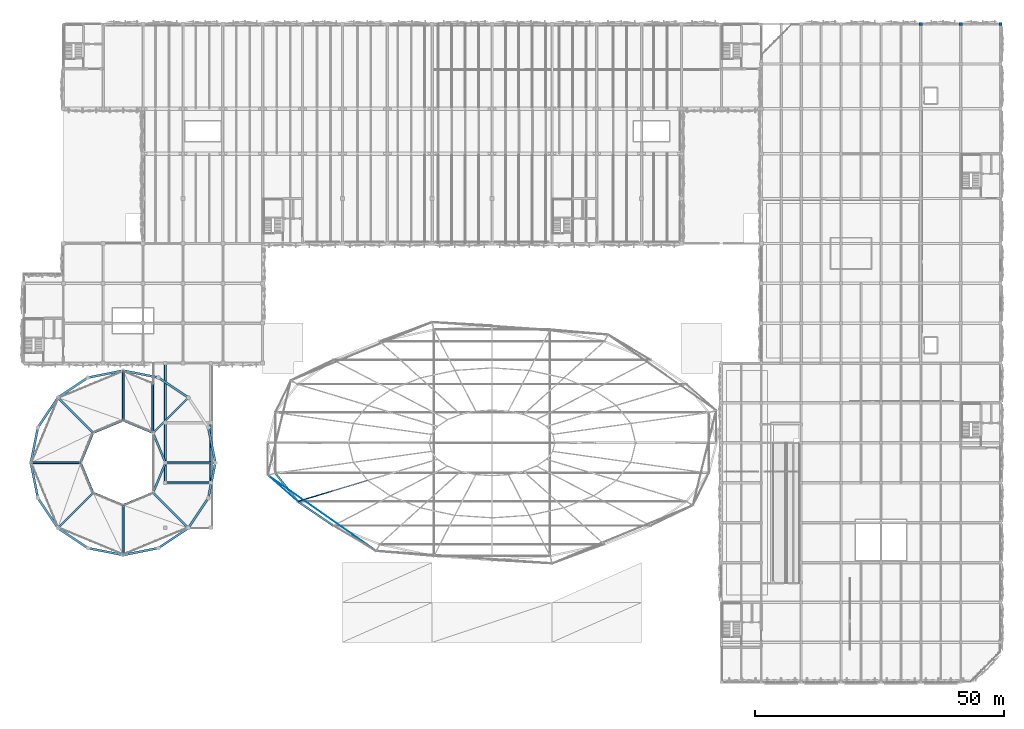
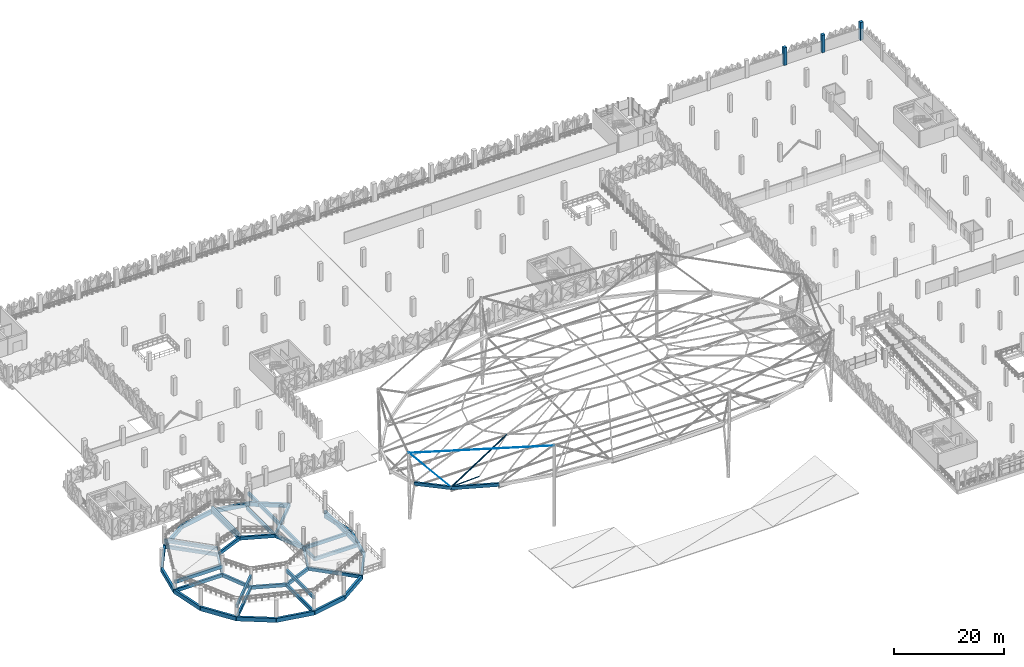
# One storey, part 10 of 96: 44 beams, 3 columns, 3 members.
"""IFC4 building model written with IfcOpenShell, lengths in metres."""

from ifc_helpers import new_model, si_unit, derived_unit, direction, frame, origin, origin_2d, place, context, subcontext, project, spatial, rectangle, hollow_rectangle, circle, i_section, extrude, material, material_profile, profile_set, type_object, element, save


model = new_model("IFC4")

# Units and contexts
model_context = context("Model", 3, precision=1e-05, world=origin(), true_north=direction((0.0, 1.0)))
body_context = subcontext(model_context, "Body", "Model", "MODEL_VIEW")
ifc_project = project(units=[si_unit("LENGTHUNIT", "METRE"), si_unit("AREAUNIT", "SQUARE_METRE"), si_unit("VOLUMEUNIT", "CUBIC_METRE"), si_unit("PLANEANGLEUNIT", "RADIAN"), si_unit("MASSUNIT", "GRAM", prefix="KILO"), si_unit("THERMODYNAMICTEMPERATUREUNIT", "KELVIN"), derived_unit("THERMALTRANSMITTANCEUNIT", [(si_unit("POWERUNIT", "WATT"), 1), (si_unit("AREAUNIT", "SQUARE_METRE"), -1), (si_unit("THERMODYNAMICTEMPERATUREUNIT", "KELVIN"), -1)])], contexts=[model_context])

# Site, building, storey
site_placement = place(None, origin())
site = spatial("IfcSite", under=ifc_project, at=site_placement, CompositionType="ELEMENT")
building_placement = place(site_placement, origin())
building = spatial("IfcBuilding", under=site, at=building_placement, Name="Haiyu Intermodal Mobility Hub", CompositionType="ELEMENT")
storey_placement = place(building_placement, frame((0.0, 0.0, 9.5)))
storey = spatial("IfcBuildingStorey", under=building, at=storey_placement, Name="L02", CompositionType="ELEMENT", Elevation=9.5)

# Columns
ifc_material_1 = material(Name="Concrete C40", Category="concrete")
ifc_material_profile_1 = material_profile(ifc_material_1, rectangle(XDim=0.64990234375, YDim=0.64990234375, at=origin_2d()), Name="RC650x650")
ifc_profile_set_1 = profile_set([ifc_material_profile_1], Name="Concrete C40")
column_type = type_object("IfcColumnType", Name="COL-CC09-EXT", PredefinedType="COLUMN", material=ifc_profile_set_1)
for number, where, z_axis, x_axis, name in (
    (1, (194.0, 148.0, 0.0), (0.0, 0.0, 1.0), (1.0, 0.0, 0.0), "Column V6-22S L02"),
    (2, (202.0, 148.0, 0.0), (0.0, 0.0, 1.0), (1.0, 0.0, 0.0), "Column V6-23S L02"),
    (3, (210.0, 148.0, 0.0), (0.0, 0.0, 1.0), (1.0, 0.0, 0.0), "Column V6-24S L02"),
):
    element("IfcColumn", number, at=place(storey_placement, frame(where, z_axis=z_axis, x_axis=x_axis)), inside=storey, type_object=column_type, Name=name, PredefinedType="COLUMN", context=body_context, shape_type="SweptSolid", body=[
        extrude(rectangle(XDim=0.64990234375, YDim=0.64990234375, at=origin_2d()), origin(), (0.0, 0.0, 1.0), 3.89990234375),
    ])

# Beams
ifc_material_profile_2 = material_profile(ifc_material_1, rectangle(XDim=0.39990234375, YDim=0.75, at=origin_2d()), Name="RCB400x750")
ifc_profile_set_2 = profile_set([ifc_material_profile_2], Name="Concrete C40")
beam_type_1 = type_object("IfcBeamType", Name="BM-CB03", PredefinedType="BEAM", material=ifc_profile_set_2)
beam_1_placement = place(storey_placement, frame((42.5, 56.0, -0.655029296875), z_axis=(1.0, 0.0, 0.0), x_axis=(0.0, 1.0, 0.0)))
element("IfcBeam", 4, at=beam_1_placement, inside=storey, type_object=beam_type_1, Name="BM-RMPL-L02-033", PredefinedType="BEAM", context=body_context, shape_type="SweptSolid", body=[
    extrude(rectangle(XDim=0.39990234375, YDim=0.75, at=origin_2d()), origin(), (0.0, 0.0, 1.0), 9.10009765625),
])
for number, where, z_axis, x_axis, name in (
    (5, (51.60009765625, 56.0, -0.655029296875), (0.0, 1.0, 0.0), (-1.0, 0.0, 0.0), "BM-RMPLE-L02-036"),
    (6, (42.5, 56.0, -0.655029296875), (0.0, 1.0, 0.0), (-1.0, 0.0, 0.0), "BM-RMPLW-L02-037"),
    (7, (42.5, 68.0, -0.655029296875), (0.0, 1.0, 0.0), (-1.0, 0.0, 0.0), "BM-RMPLW-L02-039"),
):
    element("IfcBeam", number, at=place(storey_placement, frame(where, z_axis=z_axis, x_axis=x_axis)), inside=storey, type_object=beam_type_1, Name=name, PredefinedType="BEAM", context=body_context, shape_type="SweptSolid", body=[
        extrude(rectangle(XDim=0.39990234375, YDim=0.75, at=origin_2d()), origin(), (0.0, 0.0, 1.0), 12.0),
    ])
ifc_material_profile_3 = material_profile(ifc_material_1, rectangle(XDim=0.449951171875, YDim=0.89990234375, at=origin_2d()), Name="RCB450x900")
ifc_profile_set_3 = profile_set([ifc_material_profile_3], Name="Concrete C40")
beam_type_2 = type_object("IfcBeamType", Name="BM-CB10", PredefinedType="BEAM", material=ifc_profile_set_3)
beam_2_placement = place(storey_placement, frame((52.5, 60.0, -0.72998046875), z_axis=(-0.195042866972, 0.980794718605, 0.0), x_axis=(-0.980794718605, -0.195042866972, 0.0)))
element("IfcBeam", 8, at=beam_2_placement, inside=storey, type_object=beam_type_2, Name="BM-RMP-O-L02-001", PredefinedType="BEAM", context=body_context, shape_type="SweptSolid", body=[
    extrude(rectangle(XDim=0.449951171875, YDim=0.89990234375, at=origin_2d()), origin(), (0.0, 0.0, 1.0), 7.21875),
])
beam_3_placement = place(storey_placement, frame((47.0810546875, 73.0810546875, -0.72998046875), z_axis=(-0.831388838942, 0.555691099877, 0.0), x_axis=(-0.555691099877, -0.831388838942, 0.0)))
element("IfcBeam", 9, at=beam_3_placement, inside=storey, type_object=beam_type_2, Name="BM-RMP-O-L02-003", PredefinedType="BEAM", context=body_context, shape_type="SweptSolid", body=[
    extrude(rectangle(XDim=0.449951171875, YDim=0.89990234375, at=origin_2d()), origin(), (0.0, 0.0, 1.0), 7.218017578125),
])
for number, where, z_axis, x_axis, name in (
    (10, (41.080078125, 77.092041015625, -0.72998046875), (-0.980794718605, 0.195042866972, 0.0), (-0.195042866972, -0.980794718605, 0.0), "BM-RMP-O-L02-004"),
    (11, (34.0, 78.5, -0.72998046875), (-0.980794718605, -0.195042866972, 0.0), (0.195042866972, -0.980794718605, 0.0), "BM-RMP-O-L02-005"),
):
    element("IfcBeam", number, at=place(storey_placement, frame(where, z_axis=z_axis, x_axis=x_axis)), inside=storey, type_object=beam_type_2, Name=name, PredefinedType="BEAM", context=body_context, shape_type="SweptSolid", body=[
        extrude(rectangle(XDim=0.449951171875, YDim=0.89990234375, at=origin_2d()), origin(), (0.0, 0.0, 1.0), 7.21875),
    ])
for number, where, z_axis, x_axis, name in (
    (12, (26.919921875, 77.092041015625, -0.72998046875), (-0.831388838942, -0.555691099877, 0.0), (0.555691099877, -0.831388838942, 0.0), "BM-RMP-O-L02-006"),
    (13, (20.9189453125, 73.0810546875, -0.72998046875), (-0.555691099877, -0.831388838942, 0.0), (0.831388838942, -0.555691099877, 0.0), "BM-RMP-O-L02-007"),
):
    element("IfcBeam", number, at=place(storey_placement, frame(where, z_axis=z_axis, x_axis=x_axis)), inside=storey, type_object=beam_type_2, Name=name, PredefinedType="BEAM", context=body_context, shape_type="SweptSolid", body=[
        extrude(rectangle(XDim=0.449951171875, YDim=0.89990234375, at=origin_2d()), origin(), (0.0, 0.0, 1.0), 7.218017578125),
    ])
for number, where, z_axis, x_axis, name in (
    (14, (16.907958984375, 67.080078125, -0.72998046875), (-0.195042866972, -0.980794718605, 0.0), (0.980794718605, -0.195042866972, 0.0), "BM-RMP-O-L02-008"),
    (15, (15.5, 60.0, -0.72998046875), (0.195042866972, -0.980794718605, 0.0), (0.980794718605, 0.195042866972, 0.0), "BM-RMP-O-L02-009"),
):
    element("IfcBeam", number, at=place(storey_placement, frame(where, z_axis=z_axis, x_axis=x_axis)), inside=storey, type_object=beam_type_2, Name=name, PredefinedType="BEAM", context=body_context, shape_type="SweptSolid", body=[
        extrude(rectangle(XDim=0.449951171875, YDim=0.89990234375, at=origin_2d()), origin(), (0.0, 0.0, 1.0), 7.21875),
    ])
for number, where, z_axis, x_axis, name in (
    (16, (16.907958984375, 52.919921875, -0.72998046875), (0.555691099877, -0.831388838942, 0.0), (0.831388838942, 0.555691099877, 0.0), "BM-RMP-O-L02-010"),
    (17, (20.9189453125, 46.9189453125, -0.72998046875), (0.831388838942, -0.555691099877, 0.0), (0.555691099877, 0.831388838942, 0.0), "BM-RMP-O-L02-011"),
):
    element("IfcBeam", number, at=place(storey_placement, frame(where, z_axis=z_axis, x_axis=x_axis)), inside=storey, type_object=beam_type_2, Name=name, PredefinedType="BEAM", context=body_context, shape_type="SweptSolid", body=[
        extrude(rectangle(XDim=0.449951171875, YDim=0.89990234375, at=origin_2d()), origin(), (0.0, 0.0, 1.0), 7.218017578125),
    ])
for number, where, z_axis, x_axis, name in (
    (18, (26.919921875, 42.907958984375, -0.72998046875), (0.980794718605, -0.195042866972, 0.0), (0.195042866972, 0.980794718605, 0.0), "BM-RMP-O-L02-012"),
    (19, (34.0, 41.5, -0.72998046875), (0.980794718605, 0.195042866972, 0.0), (-0.195042866972, 0.980794718605, 0.0), "BM-RMP-O-L02-013"),
):
    element("IfcBeam", number, at=place(storey_placement, frame(where, z_axis=z_axis, x_axis=x_axis)), inside=storey, type_object=beam_type_2, Name=name, PredefinedType="BEAM", context=body_context, shape_type="SweptSolid", body=[
        extrude(rectangle(XDim=0.449951171875, YDim=0.89990234375, at=origin_2d()), origin(), (0.0, 0.0, 1.0), 7.21875),
    ])
for number, where, z_axis, x_axis, name in (
    (20, (41.080078125, 42.907958984375, -0.72998046875), (0.831388838942, 0.555691099877, 0.0), (-0.555691099877, 0.831388838942, 0.0), "BM-RMP-O-L02-014"),
    (21, (47.0810546875, 46.9189453125, -0.72998046875), (0.555691099877, 0.831388838942, 0.0), (-0.831388838942, 0.555691099877, 0.0), "BM-RMP-O-L02-015"),
):
    element("IfcBeam", number, at=place(storey_placement, frame(where, z_axis=z_axis, x_axis=x_axis)), inside=storey, type_object=beam_type_2, Name=name, PredefinedType="BEAM", context=body_context, shape_type="SweptSolid", body=[
        extrude(rectangle(XDim=0.449951171875, YDim=0.89990234375, at=origin_2d()), origin(), (0.0, 0.0, 1.0), 7.218017578125),
    ])
beam_4_placement = place(storey_placement, frame((51.092041015625, 52.919921875, -0.72998046875), z_axis=(0.195042866972, 0.980794718605, 0.0), x_axis=(-0.980794718605, 0.195042866972, 0.0)))
element("IfcBeam", 22, at=beam_4_placement, inside=storey, type_object=beam_type_2, Name="BM-RMP-O-L02-016", PredefinedType="BEAM", context=body_context, shape_type="SweptSolid", body=[
    extrude(rectangle(XDim=0.449951171875, YDim=0.89990234375, at=origin_2d()), origin(), (0.0, 0.0, 1.0), 7.21875),
])
ifc_material_profile_4 = material_profile(ifc_material_1, rectangle(XDim=0.39990234375, YDim=0.719970703125, at=origin_2d()), Name="RCB400x720")
ifc_profile_set_4 = profile_set([ifc_material_profile_4], Name="Concrete C40")
beam_type_3 = type_object("IfcBeamType", Name="BM-CB11", PredefinedType="BEAM", material=ifc_profile_set_4)
beam_5_placement = place(storey_placement, frame((42.5, 60.0, -0.639892578125), z_axis=(-0.382757258538, 0.923848949253, 0.0), x_axis=(-0.923848949253, -0.382757258538, 0.0)))
element("IfcBeam", 23, at=beam_5_placement, inside=storey, type_object=beam_type_3, Name="BM-RMP-I-L02-017", PredefinedType="BEAM", context=body_context, shape_type="SweptSolid", body=[
    extrude(rectangle(XDim=0.39990234375, YDim=0.719970703125, at=origin_2d()), origin(), (0.0, 0.0, 1.0), 6.50537109375),
])
beam_6_placement = place(storey_placement, frame((42.5, 60.0, -0.639892578125), z_axis=(1.0, 0.0, 0.0), x_axis=(0.0, 1.0, 0.0)))
element("IfcBeam", 24, at=beam_6_placement, inside=storey, type_object=beam_type_3, Name="BM-RMP-R-L02-018", PredefinedType="BEAM", context=body_context, shape_type="SweptSolid", body=[
    extrude(rectangle(XDim=0.39990234375, YDim=0.719970703125, at=origin_2d()), origin(), (0.0, 0.0, 1.0), 10.0),
])
beam_7_placement = place(storey_placement, frame((40.010009765625, 66.010009765625, -0.639892578125), z_axis=(-0.923848949253, 0.382757258538, 0.0), x_axis=(-0.382757258538, -0.923848949253, 0.0)))
element("IfcBeam", 25, at=beam_7_placement, inside=storey, type_object=beam_type_3, Name="BM-RMP-I-L02-019", PredefinedType="BEAM", context=body_context, shape_type="SweptSolid", body=[
    extrude(rectangle(XDim=0.39990234375, YDim=0.719970703125, at=origin_2d()), origin(), (0.0, 0.0, 1.0), 6.50537109375),
])
beam_8_placement = place(storey_placement, frame((40.010009765625, 66.010009765625, -0.639892578125), z_axis=(0.707106781187, 0.707106781187, 0.0), x_axis=(-0.707106781187, 0.707106781187, 0.0)))
element("IfcBeam", 26, at=beam_8_placement, inside=storey, type_object=beam_type_3, Name="BM-RMP-R-L02-020", PredefinedType="BEAM", context=body_context, shape_type="SweptSolid", body=[
    extrude(rectangle(XDim=0.39990234375, YDim=0.719970703125, at=origin_2d()), origin(), (0.0, 0.0, 1.0), 10.0),
])
beam_9_placement = place(storey_placement, frame((34.0, 68.5, -0.639892578125), z_axis=(-0.923848949253, -0.382757258538, 0.0), x_axis=(0.382757258538, -0.923848949253, 0.0)))
element("IfcBeam", 27, at=beam_9_placement, inside=storey, type_object=beam_type_3, Name="BM-RMP-I-L02-021", PredefinedType="BEAM", context=body_context, shape_type="SweptSolid", body=[
    extrude(rectangle(XDim=0.39990234375, YDim=0.719970703125, at=origin_2d()), origin(), (0.0, 0.0, 1.0), 6.50537109375),
])
beam_10_placement = place(storey_placement, frame((34.0, 68.5, -0.639892578125), z_axis=(0.0, 1.0, 0.0), x_axis=(-1.0, 0.0, 0.0)))
element("IfcBeam", 28, at=beam_10_placement, inside=storey, type_object=beam_type_3, Name="BM-RMP-R-L02-022", PredefinedType="BEAM", context=body_context, shape_type="SweptSolid", body=[
    extrude(rectangle(XDim=0.39990234375, YDim=0.719970703125, at=origin_2d()), origin(), (0.0, 0.0, 1.0), 10.0),
])
beam_11_placement = place(storey_placement, frame((27.989990234375, 66.010009765625, -0.639892578125), z_axis=(-0.382757258538, -0.923848949253, 0.0), x_axis=(0.923848949253, -0.382757258538, 0.0)))
element("IfcBeam", 29, at=beam_11_placement, inside=storey, type_object=beam_type_3, Name="BM-RMP-I-L02-023", PredefinedType="BEAM", context=body_context, shape_type="SweptSolid", body=[
    extrude(rectangle(XDim=0.39990234375, YDim=0.719970703125, at=origin_2d()), origin(), (0.0, 0.0, 1.0), 6.50537109375),
])
beam_12_placement = place(storey_placement, frame((27.989990234375, 66.010009765625, -0.639892578125), z_axis=(-0.707106781187, 0.707106781187, 0.0), x_axis=(-0.707106781187, -0.707106781187, 0.0)))
element("IfcBeam", 30, at=beam_12_placement, inside=storey, type_object=beam_type_3, Name="BM-RMP-R-L02-024", PredefinedType="BEAM", context=body_context, shape_type="SweptSolid", body=[
    extrude(rectangle(XDim=0.39990234375, YDim=0.719970703125, at=origin_2d()), origin(), (0.0, 0.0, 1.0), 10.0),
])
beam_13_placement = place(storey_placement, frame((25.5, 60.0, -0.639892578125), z_axis=(0.382757258538, -0.923848949253, 0.0), x_axis=(0.923848949253, 0.382757258538, 0.0)))
element("IfcBeam", 31, at=beam_13_placement, inside=storey, type_object=beam_type_3, Name="BM-RMP-I-L02-025", PredefinedType="BEAM", context=body_context, shape_type="SweptSolid", body=[
    extrude(rectangle(XDim=0.39990234375, YDim=0.719970703125, at=origin_2d()), origin(), (0.0, 0.0, 1.0), 6.50537109375),
])
beam_14_placement = place(storey_placement, frame((25.5, 60.0, -0.639892578125), z_axis=(-1.0, 0.0, 0.0), x_axis=(0.0, -1.0, 0.0)))
element("IfcBeam", 32, at=beam_14_placement, inside=storey, type_object=beam_type_3, Name="BM-RMP-R-L02-026", PredefinedType="BEAM", context=body_context, shape_type="SweptSolid", body=[
    extrude(rectangle(XDim=0.39990234375, YDim=0.719970703125, at=origin_2d()), origin(), (0.0, 0.0, 1.0), 10.0),
])
beam_15_placement = place(storey_placement, frame((27.989990234375, 53.989990234375, -0.639892578125), z_axis=(0.923848949253, -0.382757258538, 0.0), x_axis=(0.382757258538, 0.923848949253, 0.0)))
element("IfcBeam", 33, at=beam_15_placement, inside=storey, type_object=beam_type_3, Name="BM-RMP-I-L02-027", PredefinedType="BEAM", context=body_context, shape_type="SweptSolid", body=[
    extrude(rectangle(XDim=0.39990234375, YDim=0.719970703125, at=origin_2d()), origin(), (0.0, 0.0, 1.0), 6.50537109375),
])
beam_16_placement = place(storey_placement, frame((27.989990234375, 53.989990234375, -0.639892578125), z_axis=(-0.707106781187, -0.707106781187, 0.0), x_axis=(0.707106781187, -0.707106781187, 0.0)))
element("IfcBeam", 34, at=beam_16_placement, inside=storey, type_object=beam_type_3, Name="BM-RMP-R-L02-028", PredefinedType="BEAM", context=body_context, shape_type="SweptSolid", body=[
    extrude(rectangle(XDim=0.39990234375, YDim=0.719970703125, at=origin_2d()), origin(), (0.0, 0.0, 1.0), 10.0),
])
beam_17_placement = place(storey_placement, frame((34.0, 51.5, -0.639892578125), z_axis=(0.923848949253, 0.382757258538, 0.0), x_axis=(-0.382757258538, 0.923848949253, 0.0)))
element("IfcBeam", 35, at=beam_17_placement, inside=storey, type_object=beam_type_3, Name="BM-RMP-I-L02-029", PredefinedType="BEAM", context=body_context, shape_type="SweptSolid", body=[
    extrude(rectangle(XDim=0.39990234375, YDim=0.719970703125, at=origin_2d()), origin(), (0.0, 0.0, 1.0), 6.50537109375),
])
beam_18_placement = place(storey_placement, frame((34.0, 51.5, -0.639892578125), z_axis=(0.0, -1.0, 0.0), x_axis=(1.0, 0.0, 0.0)))
element("IfcBeam", 36, at=beam_18_placement, inside=storey, type_object=beam_type_3, Name="BM-RMP-R-L02-030", PredefinedType="BEAM", context=body_context, shape_type="SweptSolid", body=[
    extrude(rectangle(XDim=0.39990234375, YDim=0.719970703125, at=origin_2d()), origin(), (0.0, 0.0, 1.0), 10.0),
])
beam_19_placement = place(storey_placement, frame((40.010009765625, 53.989990234375, -0.639892578125), z_axis=(0.382757258538, 0.923848949253, 0.0), x_axis=(-0.923848949253, 0.382757258538, 0.0)))
element("IfcBeam", 37, at=beam_19_placement, inside=storey, type_object=beam_type_3, Name="BM-RMP-I-L02-031", PredefinedType="BEAM", context=body_context, shape_type="SweptSolid", body=[
    extrude(rectangle(XDim=0.39990234375, YDim=0.719970703125, at=origin_2d()), origin(), (0.0, 0.0, 1.0), 6.50537109375),
])
beam_20_placement = place(storey_placement, frame((40.010009765625, 53.989990234375, -0.639892578125), z_axis=(0.707106781187, -0.707106781187, 0.0), x_axis=(0.707106781187, 0.707106781187, 0.0)))
element("IfcBeam", 38, at=beam_20_placement, inside=storey, type_object=beam_type_3, Name="BM-RMP-R-L02-032", PredefinedType="BEAM", context=body_context, shape_type="SweptSolid", body=[
    extrude(rectangle(XDim=0.39990234375, YDim=0.719970703125, at=origin_2d()), origin(), (0.0, 0.0, 1.0), 10.0),
])
beam_21_placement = place(storey_placement, frame((39.93994140625, 66.0, -0.64501953125), z_axis=(0.0, 1.0, 0.0), x_axis=(-1.0, 0.0, 0.0)))
element("IfcBeam", 39, at=beam_21_placement, inside=storey, type_object=beam_type_3, Name="BM-RMPM-L02-00", PredefinedType="BEAM", context=body_context, shape_type="SweptSolid", body=[
    extrude(rectangle(XDim=0.39990234375, YDim=0.719970703125, at=origin_2d()), origin(), (0.0, 0.0, 1.0), 10.10009765625),
])
for number, where, z_axis, x_axis, name in (
    (40, (34.0, 68.5, 0.0048828125), (0.0, 1.0, 0.0), (-1.0, 0.0, 0.0), "BM-RMPM-L02-01"),
    (41, (27.989990234375, 66.010009765625, 0.655029296875), (-0.707106781187, 0.707106781187, 0.0), (-0.707106781187, -0.707106781187, 0.0), "BM-RMPM-L02-02"),
    (42, (25.5, 60.0, 1.304931640625), (-1.0, 0.0, 0.0), (0.0, -1.0, 0.0), "BM-RMPM-L02-03"),
    (43, (27.989990234375, 53.989990234375, 1.955078125), (-0.707106781187, -0.707106781187, 0.0), (0.707106781187, -0.707106781187, 0.0), "BM-RMPM-L02-04"),
    (44, (34.0, 51.5, 2.60498046875), (0.0, -1.0, 0.0), (1.0, 0.0, 0.0), "BM-RMPM-L02-05"),
):
    element("IfcBeam", number, at=place(storey_placement, frame(where, z_axis=z_axis, x_axis=x_axis)), inside=storey, type_object=beam_type_3, Name=name, PredefinedType="BEAM", context=body_context, shape_type="SweptSolid", body=[
        extrude(rectangle(XDim=0.39990234375, YDim=0.719970703125, at=origin_2d()), origin(), (0.0, 0.0, 1.0), 10.0),
    ])
ifc_material_2 = material(Name="Steel Q355C", Category="steel")
ifc_material_profile_5 = material_profile(ifc_material_2, hollow_rectangle(XDim=0.39990234375, YDim=0.699951171875, WallThickness=0.02197265625, at=origin_2d()), Name="RHS700x400x22")
ifc_profile_set_5 = profile_set([ifc_material_profile_5], Name="Steel Q355C")
beam_type_4 = type_object("IfcBeamType", Name="BM-SB01", PredefinedType="BEAM", material=ifc_profile_set_5)
beam_22_placement = place(storey_placement, frame((64.532958984375, 57.91796875, 7.221923828125), z_axis=(0.616934937857, -0.777734661017, 0.120499292543), x_axis=(0.783443288642, 0.621463284098, 0.0)))
element("IfcBeam", 45, at=beam_22_placement, inside=storey, type_object=beam_type_4, Name="Compression Ring Chord RB-14", PredefinedType="BEAM", context=body_context, shape_type="SweptSolid", body=[
    extrude(hollow_rectangle(XDim=0.39990234375, YDim=0.699951171875, WallThickness=0.02197265625, at=origin_2d()), origin(), (0.0, 0.0, 1.0), 7.287841796875),
])
beam_23_placement = place(storey_placement, frame((69.029052734375, 52.25, 8.10009765625), z_axis=(0.818851357325, -0.557316552006, 0.137407115782), x_axis=(0.562653513917, 0.826692822805, 0.0)))
element("IfcBeam", 46, at=beam_23_placement, inside=storey, type_object=beam_type_4, Name="Compression Ring Chord RB-15", PredefinedType="BEAM", context=body_context, shape_type="SweptSolid", body=[
    extrude(hollow_rectangle(XDim=0.39990234375, YDim=0.699951171875, WallThickness=0.02197265625, at=origin_2d()), origin(), (0.0, 0.0, 1.0), 8.73291015625),
])
ifc_material_profile_6 = material_profile(ifc_material_2, i_section(OverallWidth=0.14990234375, OverallDepth=0.300048828125, WebThickness=0.006591796875, FlangeThickness=0.009033203125, FilletRadius=0.012939453125, at=origin_2d()), Name="HN300x150x6.5x9")
ifc_profile_set_6 = profile_set([ifc_material_profile_6], Name="Steel Q355C")
beam_type_5 = type_object("IfcBeamType", Name="BM-SB10-INT", PredefinedType="JOIST", material=ifc_profile_set_6)
beam_24_placement = place(storey_placement, frame((69.029052734375, 52.25, 8.337890625), z_axis=(0.921963147491, 0.277986417233, 0.269643294933), x_axis=(-0.28867900796, 0.957425939884, 0.0)))
element("IfcBeam", 47, at=beam_24_placement, inside=storey, type_object=beam_type_5, Name="BM-SADRAD-077", PredefinedType="JOIST", context=body_context, shape_type="SweptSolid", body=[
    extrude(i_section(OverallWidth=0.14990234375, OverallDepth=0.300048828125, WebThickness=0.006591796875, FlangeThickness=0.009033203125, FilletRadius=0.012939453125, at=origin_2d()), origin(), (0.0, 0.0, 1.0), 15.216552734375),
])

# Members
ifc_material_profile_7 = material_profile(ifc_material_2, hollow_rectangle(XDim=0.159912109375, YDim=0.159912109375, WallThickness=0.006103515625, at=origin_2d()), Name="SHS160x160x6")
ifc_profile_set_7 = profile_set([ifc_material_profile_7], Name="Steel Q355C")
member_type_1 = type_object("IfcMemberType", Name="MEM-CH03", PredefinedType="CHORD", material=ifc_profile_set_7)
member_1_placement = place(storey_placement, frame((69.029052734375, 52.25, 8.337890625), z_axis=(0.93921536077, 0.283173447616, -0.194132183469), x_axis=(-0.288665193348, 0.957430105099, 0.0)))
element("IfcMember", 48, at=member_1_placement, inside=storey, type_object=member_type_1, Name="MEM-SADD1-077", PredefinedType="CHORD", context=body_context, shape_type="SweptSolid", body=[
    extrude(hollow_rectangle(XDim=0.159912109375, YDim=0.159912109375, WallThickness=0.006103515625, at=origin_2d()), origin(), (0.0, 0.0, 1.0), 7.468994140625),
])
ifc_material_3 = material(Name="Galvanized steel cable 1670 MPa", Category="steel")
ifc_material_profile_8 = material_profile(ifc_material_3, circle(Radius=0.032470703125, at=origin_2d()), Name="CABLE65")
ifc_profile_set_8 = profile_set([ifc_material_profile_8], Name="Galvanized steel cable 1670 MPa")
member_type_2 = type_object("IfcMemberType", Name="MEM-TC03", PredefinedType="USERDEFINED", material=ifc_profile_set_8)
member_2_placement = place(storey_placement, frame((63.035888671875, 57.51708984375, 14.822021484375), z_axis=(0.574450882091, -0.504855928394, -0.644303248192), x_axis=(0.660140767014, 0.75114190918, 0.0)))
element("IfcMember", 49, at=member_2_placement, inside=storey, type_object=member_type_2, Name="Cable-Net Tendon CB-ST-034", ObjectType="TENSION CABLE", PredefinedType="USERDEFINED", context=body_context, shape_type="SweptSolid", body=[
    extrude(circle(Radius=0.032470703125, at=origin_2d()), origin(), (0.0, 0.0, 1.0), 10.432861328125),
])
member_3_placement = place(storey_placement, frame((63.035888671875, 57.51708984375, 14.701904296875), z_axis=(0.812525065734, -0.569844034946, 0.122803881827), x_axis=(0.574190103897, 0.818722006903, 0.0)))
element("IfcMember", 50, at=member_3_placement, inside=storey, type_object=member_type_2, Name="Cable-Net Tendon CB-RG-035", ObjectType="TENSION CABLE", PredefinedType="USERDEFINED", context=body_context, shape_type="SweptSolid", body=[
    extrude(circle(Radius=0.032470703125, at=origin_2d()), origin(), (0.0, 0.0, 1.0), 26.693603515625),
])

save(model, "model.ifc")
